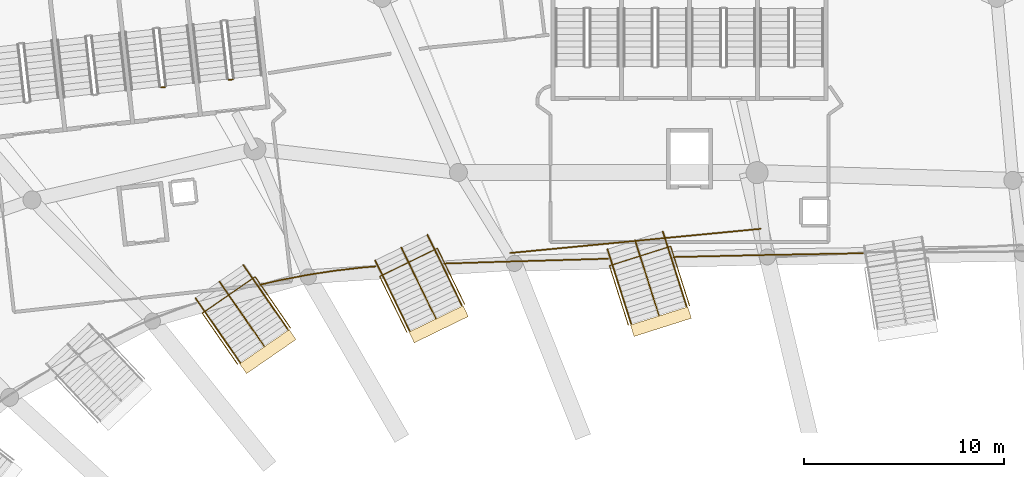
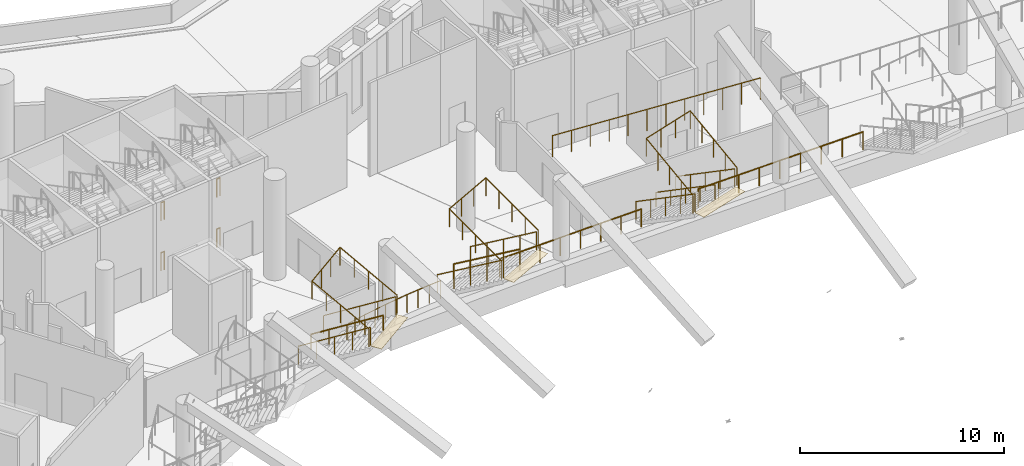
# One storey, part 154 of 173: 20 railings, 3 coverings.
"""IFC4 building model written with IfcOpenShell, lengths in metres."""

from ifc_helpers import new_model, si_unit, direction, frame, origin, origin_2d, place, context, subcontext, project, spatial, rectangle, circle, extrude, material, layer, layer_set, type_object, element, save


model = new_model("IFC4")

# Units and contexts
model_context = context("Model", 3, precision=1e-05, world=origin(), true_north=direction((0.0, 1.0)))
body_context = subcontext(model_context, "Body", "Model", "MODEL_VIEW")
ifc_project = project(units=[si_unit("LENGTHUNIT", "METRE"), si_unit("AREAUNIT", "SQUARE_METRE"), si_unit("VOLUMEUNIT", "CUBIC_METRE"), si_unit("PLANEANGLEUNIT", "RADIAN"), si_unit("MASSUNIT", "GRAM", prefix="KILO")], contexts=[model_context])

# Site, building, storey
site_placement = place(None, origin())
site = spatial("IfcSite", under=ifc_project, at=site_placement, CompositionType="ELEMENT")
building_placement = place(site_placement, origin())
building = spatial("IfcBuilding", under=site, at=building_placement, Name="Meseta Stadium", CompositionType="ELEMENT")
storey_placement = place(building_placement, frame((0.0, 0.0, 18.0)))
storey = spatial("IfcBuildingStorey", under=building, at=storey_placement, Name="L03", CompositionType="ELEMENT", Elevation=18.0)

# Railings
ifc_material_1 = material(Name="Steel S355", Category="steel")
railing_type_1 = type_object("IfcRailingType", Name="Plate edge guard 1100", PredefinedType="GUARDRAIL", material=ifc_material_1)
railing_1_placement = place(storey_placement, frame((-14.34326171875, 85.88427734375, 0.0)))
element("IfcRailing", 1, at=railing_1_placement, inside=storey, type_object=railing_type_1, Name="L03 inner edge guard 21", PredefinedType="GUARDRAIL", context=body_context, shape_type="SweptSolid", body=[
    extrude(circle(Radius=0.02490234375, at=origin_2d()), frame((0.0, 0.0, 1.0751953125), z_axis=(-0.999837325098, -0.018036721983, 0.0), x_axis=(0.018036721983, -0.999837325098, 0.0)), (0.0, 0.0, 1.0), 4.778076171875),
    extrude(circle(Radius=0.02490234375, at=origin_2d()), frame((-4.77734375, -0.086181640625, 1.0751953125), z_axis=(-0.99974860133, -0.022421733614, 0.0), x_axis=(0.022421733614, -0.99974860133, 0.0)), (0.0, 0.0, 1.0), 4.68212890625),
    extrude(circle(Radius=0.02001953125, at=origin_2d()), origin(), (0.0, 0.0, 1.0), 1.050048828125),
    extrude(circle(Radius=0.02001953125, at=origin_2d()), frame((-1.1943359375, -0.021484375, 0.0)), (0.0, 0.0, 1.0), 1.050048828125),
    extrude(circle(Radius=0.02001953125, at=origin_2d()), frame((-2.388671875, -0.04296875, 0.0)), (0.0, 0.0, 1.0), 1.050048828125),
    extrude(circle(Radius=0.02001953125, at=origin_2d()), frame((-3.5830078125, -0.064697265625, 0.0)), (0.0, 0.0, 1.0), 1.050048828125),
    extrude(circle(Radius=0.02001953125, at=origin_2d()), frame((-4.77734375, -0.086181640625, 0.0)), (0.0, 0.0, 1.0), 1.050048828125),
    extrude(circle(Radius=0.02001953125, at=origin_2d()), frame((-5.947509765625, -0.1123046875, 0.0)), (0.0, 0.0, 1.0), 1.050048828125),
    extrude(circle(Radius=0.02001953125, at=origin_2d()), frame((-7.11767578125, -0.138671875, 0.0)), (0.0, 0.0, 1.0), 1.050048828125),
    extrude(circle(Radius=0.02001953125, at=origin_2d()), frame((-8.2880859375, -0.1650390625, 0.0)), (0.0, 0.0, 1.0), 1.050048828125),
    extrude(circle(Radius=0.02001953125, at=origin_2d()), frame((-9.458251953125, -0.191162109375, 0.0)), (0.0, 0.0, 1.0), 1.050048828125),
])
railing_2_placement = place(storey_placement, frame((-27.0693359375, 85.609375, 0.0)))
element("IfcRailing", 2, at=railing_2_placement, inside=storey, type_object=railing_type_1, Name="L03 inner edge guard 22", PredefinedType="GUARDRAIL", context=body_context, shape_type="SweptSolid", body=[
    extrude(circle(Radius=0.02490234375, at=origin_2d()), frame((0.0, 0.0, 1.0751953125), z_axis=(-0.999597396645, -0.028373308227, 0.0), x_axis=(0.028373308227, -0.999597396645, 0.0)), (0.0, 0.0, 1.0), 4.67236328125),
    extrude(circle(Radius=0.02490234375, at=origin_2d()), frame((-4.67041015625, -0.132568359375, 1.0751953125), z_axis=(-0.999521144506, -0.030943200959, 0.0), x_axis=(0.030943200959, -0.999521144506, 0.0)), (0.0, 0.0, 1.0), 3.503173828125),
    extrude(circle(Radius=0.02001953125, at=origin_2d()), origin(), (0.0, 0.0, 1.0), 1.050048828125),
    extrude(circle(Radius=0.02001953125, at=origin_2d()), frame((-1.16748046875, -0.033203125, 0.0)), (0.0, 0.0, 1.0), 1.050048828125),
    extrude(circle(Radius=0.02001953125, at=origin_2d()), frame((-2.335205078125, -0.06640625, 0.0)), (0.0, 0.0, 1.0), 1.050048828125),
    extrude(circle(Radius=0.02001953125, at=origin_2d()), frame((-3.5029296875, -0.099365234375, 0.0)), (0.0, 0.0, 1.0), 1.050048828125),
    extrude(circle(Radius=0.02001953125, at=origin_2d()), frame((-4.67041015625, -0.132568359375, 0.0)), (0.0, 0.0, 1.0), 1.050048828125),
    extrude(circle(Radius=0.02001953125, at=origin_2d()), frame((-5.837646484375, -0.168701171875, 0.0)), (0.0, 0.0, 1.0), 1.050048828125),
    extrude(circle(Radius=0.02001953125, at=origin_2d()), frame((-7.004638671875, -0.204833984375, 0.0)), (0.0, 0.0, 1.0), 1.050048828125),
    extrude(circle(Radius=0.02001953125, at=origin_2d()), frame((-8.171875, -0.240966796875, 0.0)), (0.0, 0.0, 1.0), 1.050048828125),
])
railing_3_placement = place(storey_placement, frame((-38.6640625, 85.224609375, 0.0)))
element("IfcRailing", 3, at=railing_3_placement, inside=storey, type_object=railing_type_1, Name="L03 inner edge guard 23", PredefinedType="GUARDRAIL", context=body_context, shape_type="SweptSolid", body=[
    extrude(circle(Radius=0.02490234375, at=origin_2d()), frame((0.0, 0.0, 1.0751953125), z_axis=(-0.996729823051, -0.080806310654, 0.0), x_axis=(0.080806310654, -0.996729823051, 0.0)), (0.0, 0.0, 1.0), 0.685791015625),
    extrude(circle(Radius=0.02490234375, at=origin_2d()), frame((-0.68359375, -0.055419921875, 1.0751953125), z_axis=(-0.993204606365, -0.116381312482, 0.0), x_axis=(0.116381312482, -0.993204606365, 0.0)), (0.0, 0.0, 1.0), 1.355224609375),
    extrude(circle(Radius=0.02490234375, at=origin_2d()), frame((-2.029541015625, -0.213134765625, 1.0751953125), z_axis=(-0.988417493259, -0.151759213954, 0.0), x_axis=(0.151759213954, -0.988417493259, 0.0)), (0.0, 0.0, 1.0), 1.3544921875),
    extrude(circle(Radius=0.02490234375, at=origin_2d()), frame((-3.368408203125, -0.418701171875, 1.0751953125), z_axis=(-0.982401631843, -0.18678071033, 0.0), x_axis=(0.18678071033, -0.982401631843, 0.0)), (0.0, 0.0, 1.0), 1.354248046875),
    extrude(circle(Radius=0.02490234375, at=origin_2d()), frame((-4.69873046875, -0.671630859375, 1.0751953125), z_axis=(-0.975167932407, -0.221466709924, 0.0), x_axis=(0.221466709924, -0.975167932407, 0.0)), (0.0, 0.0, 1.0), 1.093505859375),
    extrude(circle(Radius=0.02001953125, at=origin_2d()), origin(), (0.0, 0.0, 1.0), 1.050048828125),
    extrude(circle(Radius=0.02001953125, at=origin_2d()), frame((-0.68359375, -0.055419921875, 0.0)), (0.0, 0.0, 1.0), 1.050048828125),
    extrude(circle(Radius=0.02001953125, at=origin_2d()), frame((-1.3564453125, -0.13427734375, 0.0)), (0.0, 0.0, 1.0), 1.050048828125),
    extrude(circle(Radius=0.02001953125, at=origin_2d()), frame((-2.029541015625, -0.213134765625, 0.0)), (0.0, 0.0, 1.0), 1.050048828125),
    extrude(circle(Radius=0.02001953125, at=origin_2d()), frame((-2.698974609375, -0.31591796875, 0.0)), (0.0, 0.0, 1.0), 1.050048828125),
    extrude(circle(Radius=0.02001953125, at=origin_2d()), frame((-3.368408203125, -0.418701171875, 0.0)), (0.0, 0.0, 1.0), 1.050048828125),
    extrude(circle(Radius=0.02001953125, at=origin_2d()), frame((-4.03369140625, -0.545166015625, 0.0)), (0.0, 0.0, 1.0), 1.050048828125),
    extrude(circle(Radius=0.02001953125, at=origin_2d()), frame((-4.69873046875, -0.671630859375, 0.0)), (0.0, 0.0, 1.0), 1.050048828125),
    extrude(circle(Radius=0.02001953125, at=origin_2d()), frame((-5.76513671875, -0.913818359375, 0.0)), (0.0, 0.0, 1.0), 1.050048828125),
])
ifc_material_2 = material(Name="Steel S355", Category="steel")
railing_type_2 = type_object("IfcRailingType", Name="Stair guard 1100", PredefinedType="GUARDRAIL", material=ifc_material_2)
for number, where, name in (
    (4, (-45.787109375, 94.553955078125, 3.0), "ST45 L03 guard 4"),
    (5, (-45.787109375, 94.553955078125, 0.0), "ST45 L03 guard 8"),
    (6, (-49.165771484375, 94.17333984375, 3.0), "ST46 L03 guard 4"),
    (7, (-49.165771484375, 94.17333984375, 0.0), "ST46 L03 guard 8"),
):
    element("IfcRailing", number, at=place(storey_placement, frame(where)), inside=storey, type_object=railing_type_2, Name=name, PredefinedType="GUARDRAIL", context=body_context, shape_type="SweptSolid", body=[
        extrude(circle(Radius=0.02392578125, at=origin_2d()), frame((0.0, 0.0, 1.076171875), z_axis=(-0.993673547442, -0.112307083986, 0.0), x_axis=(0.112307083986, -0.993673547442, 0.0)), (0.0, 0.0, 1.0), 0.199951171875),
        extrude(circle(Radius=0.02099609375, at=origin_2d()), origin(), (0.0, 0.0, 1.0), 1.052001953125),
        extrude(circle(Radius=0.02099609375, at=origin_2d()), frame((-0.19873046875, -0.0224609375, 0.0)), (0.0, 0.0, 1.0), 1.052001953125),
    ])
ifc_material_3 = material(Name="Steel S355", Category="steel")
railing_type_3 = type_object("IfcRailingType", Name="Stand rear guard 1300", PredefinedType="GUARDRAIL", material=ifc_material_3)
railing_4_placement = place(storey_placement, frame((-19.452880859375, 87.1015625, 4.0849609375)))
element("IfcRailing", 8, at=railing_4_placement, inside=storey, type_object=railing_type_3, Name="Stand upper tier rear guard bay 21", PredefinedType="GUARDRAIL", context=body_context, shape_type="SweptSolid", body=[
    extrude(circle(Radius=0.02490234375, at=origin_2d()), frame((0.0, 0.0, 1.27490234375), z_axis=(-0.986940662175, -0.095342978526, 0.129837767196), x_axis=(0.096156922731, -0.995366186994, 0.0)), (0.0, 0.0, 1.0), 12.65478515625),
    extrude(circle(Radius=0.02001953125, at=origin_2d()), origin(), (0.0, 0.0, 1.0), 1.25),
    extrude(circle(Radius=0.02001953125, at=origin_2d()), frame((-1.135498046875, -0.109619140625, 0.1494140625)), (0.0, 0.0, 1.0), 1.25),
    extrude(circle(Radius=0.02001953125, at=origin_2d()), frame((-2.270751953125, -0.219482421875, 0.298828125)), (0.0, 0.0, 1.0), 1.25),
    extrude(circle(Radius=0.02001953125, at=origin_2d()), frame((-3.40625, -0.3291015625, 0.447998046875)), (0.0, 0.0, 1.0), 1.25),
    extrude(circle(Radius=0.02001953125, at=origin_2d()), frame((-4.541748046875, -0.438720703125, 0.597412109375)), (0.0, 0.0, 1.0), 1.25),
    extrude(circle(Radius=0.02001953125, at=origin_2d()), frame((-5.677001953125, -0.54833984375, 0.746826171875)), (0.0, 0.0, 1.0), 1.25),
    extrude(circle(Radius=0.02001953125, at=origin_2d()), frame((-6.8125, -0.658203125, 0.896240234375)), (0.0, 0.0, 1.0), 1.25),
    extrude(circle(Radius=0.02001953125, at=origin_2d()), frame((-7.94775390625, -0.767822265625, 1.045654296875)), (0.0, 0.0, 1.0), 1.25),
    extrude(circle(Radius=0.02001953125, at=origin_2d()), frame((-9.083251953125, -0.87744140625, 1.195068359375)), (0.0, 0.0, 1.0), 1.25),
    extrude(circle(Radius=0.02001953125, at=origin_2d()), frame((-10.21875, -0.987060546875, 1.34423828125)), (0.0, 0.0, 1.0), 1.25),
    extrude(circle(Radius=0.02001953125, at=origin_2d()), frame((-11.35400390625, -1.096923828125, 1.49365234375)), (0.0, 0.0, 1.0), 1.25),
    extrude(circle(Radius=0.02001953125, at=origin_2d()), frame((-12.489501953125, -1.20654296875, 1.64306640625)), (0.0, 0.0, 1.0), 1.25),
])

# Coverings
ifc_material_4 = material(Name="Stone paving", Category="masonry")
ifc_layer = layer(ifc_material_4, 0.02001953125)
ifc_layer_set = layer_set([ifc_layer], Name="Vomitory exit threshold plate 20")
covering_type = type_object("IfcCoveringType", Name="Vomitory exit threshold plate 20", PredefinedType="FLOORING", material=ifc_layer_set)
for number, where, z_axis, x_axis, name in (
    (9, (-24.425537109375, 82.470458984375, 2.455322265625), (0.0, 0.0, 1.0), (0.302579501013, -0.953124150133, 0.0), "Vomitory V-upper-21 exit threshold"),
    (10, (-35.51220703125, 82.339599609375, 2.5791015625), (0.0, 0.0, 1.0), (0.437966379942, -0.898991351483, 0.0), "Vomitory V-upper-22 exit threshold"),
    (11, (-44.034423828125, 80.973876953125, 2.451416015625), (0.0, 0.0, 1.0), (0.567899772853, -0.82309771473, 0.0), "Vomitory V-upper-23 exit threshold"),
):
    element("IfcCovering", number, at=place(storey_placement, frame(where, z_axis=z_axis, x_axis=x_axis)), inside=storey, type_object=covering_type, Name=name, PredefinedType="FLOORING", context=body_context, shape_type="SweptSolid", body=[
        extrude(rectangle(XDim=0.60009765625, YDim=3.0, at=origin_2d()), origin(), (0.0, 0.0, 1.0), 0.02001953125),
    ])

# Railings
ifc_material_5 = material(Name="Steel S355", Category="steel")
railing_type_4 = type_object("IfcRailingType", Name="Vomitory slot guard 1100", PredefinedType="GUARDRAIL", material=ifc_material_5)
railing_5_placement = place(storey_placement, frame((-26.0517578125, 82.3046875, 2.475341796875)))
element("IfcRailing", 12, at=railing_5_placement, inside=storey, type_object=railing_type_4, Name="Vomitory V-upper-21 slot guard", PredefinedType="GUARDRAIL", context=body_context, shape_type="SweptSolid", body=[
    extrude(circle(Radius=0.02490234375, at=origin_2d()), frame((0.0, 0.0, 1.0751953125), z_axis=(-0.25659020607, 0.808239113447, 0.530010378807), x_axis=(-0.95312210395, -0.302585946404, 0.0)), (0.0, 0.0, 1.0), 3.655517578125),
    extrude(circle(Radius=0.02490234375, at=origin_2d()), frame((-0.93798828125, 2.95458984375, 3.0126953125), z_axis=(0.953124965633, 0.302576932178, 0.0), x_axis=(-0.302576932178, 0.953124965633, 0.0)), (0.0, 0.0, 1.0), 3.199951171875),
    extrude(circle(Radius=0.02490234375, at=origin_2d()), frame((2.112060546875, 3.9228515625, 3.0126953125), z_axis=(0.25659020607, -0.808239113447, -0.530010378807), x_axis=(0.95312210395, 0.302585946404, 0.0)), (0.0, 0.0, 1.0), 3.655517578125),
    extrude(circle(Radius=0.02001953125, at=origin_2d()), origin(), (0.0, 0.0, 1.0), 1.050048828125),
    extrude(circle(Radius=0.02001953125, at=origin_2d()), frame((-0.234375, 0.73876953125, 0.484375)), (0.0, 0.0, 1.0), 1.050048828125),
    extrude(circle(Radius=0.02001953125, at=origin_2d()), frame((-0.468994140625, 1.477294921875, 0.96875)), (0.0, 0.0, 1.0), 1.050048828125),
    extrude(circle(Radius=0.02001953125, at=origin_2d()), frame((-0.70361328125, 2.2158203125, 1.453125)), (0.0, 0.0, 1.0), 1.050048828125),
    extrude(circle(Radius=0.02001953125, at=origin_2d()), frame((-0.93798828125, 2.95458984375, 1.9375)), (0.0, 0.0, 1.0), 1.050048828125),
    extrude(circle(Radius=0.02001953125, at=origin_2d()), frame((0.07861328125, 3.27734375, 1.9375)), (0.0, 0.0, 1.0), 1.050048828125),
    extrude(circle(Radius=0.02001953125, at=origin_2d()), frame((1.095458984375, 3.60009765625, 1.9375)), (0.0, 0.0, 1.0), 1.050048828125),
    extrude(circle(Radius=0.02001953125, at=origin_2d()), frame((2.112060546875, 3.9228515625, 1.9375)), (0.0, 0.0, 1.0), 1.050048828125),
    extrude(circle(Radius=0.02001953125, at=origin_2d()), frame((2.3466796875, 3.18408203125, 1.453125)), (0.0, 0.0, 1.0), 1.050048828125),
    extrude(circle(Radius=0.02001953125, at=origin_2d()), frame((2.5810546875, 2.445556640625, 0.96875)), (0.0, 0.0, 1.0), 1.050048828125),
    extrude(circle(Radius=0.02001953125, at=origin_2d()), frame((2.8154296875, 1.70703125, 0.484375)), (0.0, 0.0, 1.0), 1.050048828125),
    extrude(circle(Radius=0.02001953125, at=origin_2d()), frame((3.050048828125, 0.96826171875, 0.0)), (0.0, 0.0, 1.0), 1.050048828125),
])
railing_6_placement = place(storey_placement, frame((-37.0966796875, 81.939208984375, 2.59912109375)))
element("IfcRailing", 13, at=railing_6_placement, inside=storey, type_object=railing_type_4, Name="Vomitory V-upper-22 slot guard", PredefinedType="GUARDRAIL", context=body_context, shape_type="SweptSolid", body=[
    extrude(circle(Radius=0.02490234375, at=origin_2d()), frame((0.0, 0.0, 1.0751953125), z_axis=(-0.37144591586, 0.762325625593, 0.529988275489), x_axis=(-0.898963630227, -0.438023277383, 0.0)), (0.0, 0.0, 1.0), 3.65576171875),
    extrude(circle(Radius=0.02490234375, at=origin_2d()), frame((-1.35791015625, 2.786865234375, 3.0126953125), z_axis=(0.899017594614, 0.437912507899, 0.0), x_axis=(-0.437912507899, 0.899017594614, 0.0)), (0.0, 0.0, 1.0), 3.2001953125),
    extrude(circle(Radius=0.02490234375, at=origin_2d()), frame((1.51904296875, 4.188232421875, 3.0126953125), z_axis=(0.371388345082, -0.762344534996, -0.53000142179), x_axis=(0.898994639312, 0.437959631118, 0.0)), (0.0, 0.0, 1.0), 3.65576171875),
    extrude(circle(Radius=0.02001953125, at=origin_2d()), origin(), (0.0, 0.0, 1.0), 1.050048828125),
    extrude(circle(Radius=0.02001953125, at=origin_2d()), frame((-0.33935546875, 0.69677734375, 0.484375)), (0.0, 0.0, 1.0), 1.050048828125),
    extrude(circle(Radius=0.02001953125, at=origin_2d()), frame((-0.678955078125, 1.3935546875, 0.96875)), (0.0, 0.0, 1.0), 1.050048828125),
    extrude(circle(Radius=0.02001953125, at=origin_2d()), frame((-1.0185546875, 2.090087890625, 1.453125)), (0.0, 0.0, 1.0), 1.050048828125),
    extrude(circle(Radius=0.02001953125, at=origin_2d()), frame((-1.35791015625, 2.786865234375, 1.9375)), (0.0, 0.0, 1.0), 1.050048828125),
    extrude(circle(Radius=0.02001953125, at=origin_2d()), frame((-0.39892578125, 3.25390625, 1.9375)), (0.0, 0.0, 1.0), 1.050048828125),
    extrude(circle(Radius=0.02001953125, at=origin_2d()), frame((0.56005859375, 3.72119140625, 1.9375)), (0.0, 0.0, 1.0), 1.050048828125),
    extrude(circle(Radius=0.02001953125, at=origin_2d()), frame((1.51904296875, 4.188232421875, 1.9375)), (0.0, 0.0, 1.0), 1.050048828125),
    extrude(circle(Radius=0.02001953125, at=origin_2d()), frame((1.8583984375, 3.491455078125, 1.453125)), (0.0, 0.0, 1.0), 1.050048828125),
    extrude(circle(Radius=0.02001953125, at=origin_2d()), frame((2.19775390625, 2.794921875, 0.96875)), (0.0, 0.0, 1.0), 1.050048828125),
    extrude(circle(Radius=0.02001953125, at=origin_2d()), frame((2.537353515625, 2.09814453125, 0.484375)), (0.0, 0.0, 1.0), 1.050048828125),
    extrude(circle(Radius=0.02001953125, at=origin_2d()), frame((2.876708984375, 1.4013671875, 0.0)), (0.0, 0.0, 1.0), 1.050048828125),
])
railing_7_placement = place(storey_placement, frame((-45.541015625, 80.340087890625, 2.471435546875)))
element("IfcRailing", 14, at=railing_7_placement, inside=storey, type_object=railing_type_4, Name="Vomitory V-upper-23 slot guard", PredefinedType="GUARDRAIL", context=body_context, shape_type="SweptSolid", body=[
    extrude(circle(Radius=0.02490234375, at=origin_2d()), frame((0.0, 0.0, 1.0751953125), z_axis=(-0.481565640467, 0.698006389428, 0.529982654659), x_axis=(-0.823112509059, -0.567878329777, 0.0)), (0.0, 0.0, 1.0), 3.65576171875),
    extrude(circle(Radius=0.02490234375, at=origin_2d()), frame((-1.760498046875, 2.5517578125, 3.0126953125), z_axis=(0.8231303975, 0.567852400463, 0.0), x_axis=(-0.567852400463, 0.8231303975, 0.0)), (0.0, 0.0, 1.0), 3.199951171875),
    extrude(circle(Radius=0.02490234375, at=origin_2d()), frame((0.87353515625, 4.368896484375, 3.0126953125), z_axis=(0.48158808882, -0.697972142041, -0.530007359988), x_axis=(0.823087110293, 0.567915142314, 0.0)), (0.0, 0.0, 1.0), 3.655517578125),
    extrude(circle(Radius=0.02001953125, at=origin_2d()), origin(), (0.0, 0.0, 1.0), 1.050048828125),
    extrude(circle(Radius=0.02001953125, at=origin_2d()), frame((-0.440185546875, 0.637939453125, 0.484375)), (0.0, 0.0, 1.0), 1.050048828125),
    extrude(circle(Radius=0.02001953125, at=origin_2d()), frame((-0.88037109375, 1.27587890625, 0.96875)), (0.0, 0.0, 1.0), 1.050048828125),
    extrude(circle(Radius=0.02001953125, at=origin_2d()), frame((-1.3203125, 1.913818359375, 1.453125)), (0.0, 0.0, 1.0), 1.050048828125),
    extrude(circle(Radius=0.02001953125, at=origin_2d()), frame((-1.760498046875, 2.5517578125, 1.9375)), (0.0, 0.0, 1.0), 1.050048828125),
    extrude(circle(Radius=0.02001953125, at=origin_2d()), frame((-0.882568359375, 3.157470703125, 1.9375)), (0.0, 0.0, 1.0), 1.050048828125),
    extrude(circle(Radius=0.02001953125, at=origin_2d()), frame((-0.00439453125, 3.76318359375, 1.9375)), (0.0, 0.0, 1.0), 1.050048828125),
    extrude(circle(Radius=0.02001953125, at=origin_2d()), frame((0.87353515625, 4.368896484375, 1.9375)), (0.0, 0.0, 1.0), 1.050048828125),
    extrude(circle(Radius=0.02001953125, at=origin_2d()), frame((1.313720703125, 3.73095703125, 1.453125)), (0.0, 0.0, 1.0), 1.050048828125),
    extrude(circle(Radius=0.02001953125, at=origin_2d()), frame((1.75390625, 3.09326171875, 0.96875)), (0.0, 0.0, 1.0), 1.050048828125),
    extrude(circle(Radius=0.02001953125, at=origin_2d()), frame((2.19384765625, 2.455322265625, 0.484375)), (0.0, 0.0, 1.0), 1.050048828125),
    extrude(circle(Radius=0.02001953125, at=origin_2d()), frame((2.634033203125, 1.8173828125, 0.0)), (0.0, 0.0, 1.0), 1.050048828125),
])
ifc_material_6 = material(Name="Steel S355", Category="steel")
railing_type_5 = type_object("IfcRailingType", Name="Vomitory stair guard 1100", PredefinedType="GUARDRAIL", material=ifc_material_6)
railing_8_placement = place(storey_placement, frame((-24.330810546875, 86.9638671875, 0.1650390625)))
element("IfcRailing", 15, at=railing_8_placement, inside=storey, type_object=railing_type_5, Name="Vomitory V-upper-21 guard left", PredefinedType="GUARDRAIL", context=body_context, shape_type="SweptSolid", body=[
    extrude(circle(Radius=0.02490234375, at=origin_2d()), frame((0.0, 0.0, 1.0751953125), z_axis=(0.260655572565, -0.82113480497, 0.507736451871), x_axis=(0.953131679436, 0.302555782717, 0.0)), (0.0, 0.0, 1.0), 4.55029296875),
    extrude(circle(Radius=0.02001953125, at=origin_2d()), origin(), (0.0, 0.0, 1.0), 1.050048828125),
    extrude(circle(Radius=0.02001953125, at=origin_2d()), frame((0.29638671875, -0.93408203125, 0.57763671875)), (0.0, 0.0, 1.0), 1.050048828125),
    extrude(circle(Radius=0.02001953125, at=origin_2d()), frame((0.593017578125, -1.8681640625, 1.1552734375)), (0.0, 0.0, 1.0), 1.050048828125),
    extrude(circle(Radius=0.02001953125, at=origin_2d()), frame((0.8896484375, -2.80224609375, 1.732666015625)), (0.0, 0.0, 1.0), 1.050048828125),
    extrude(circle(Radius=0.02001953125, at=origin_2d()), frame((1.18603515625, -3.736328125, 2.310302734375)), (0.0, 0.0, 1.0), 1.050048828125),
])
railing_9_placement = place(storey_placement, frame((-27.0947265625, 86.086181640625, 0.1650390625)))
element("IfcRailing", 16, at=railing_9_placement, inside=storey, type_object=railing_type_5, Name="Vomitory V-upper-21 guard right", PredefinedType="GUARDRAIL", context=body_context, shape_type="SweptSolid", body=[
    extrude(circle(Radius=0.02490234375, at=origin_2d()), frame((0.0, 0.0, 1.0751953125), z_axis=(0.260667056891, -0.82111732639, 0.507758822429), x_axis=(0.953125977826, 0.302573743728, 0.0)), (0.0, 0.0, 1.0), 4.550048828125),
    extrude(circle(Radius=0.02001953125, at=origin_2d()), origin(), (0.0, 0.0, 1.0), 1.050048828125),
    extrude(circle(Radius=0.02001953125, at=origin_2d()), frame((0.29638671875, -0.93408203125, 0.57763671875)), (0.0, 0.0, 1.0), 1.050048828125),
    extrude(circle(Radius=0.02001953125, at=origin_2d()), frame((0.593017578125, -1.8681640625, 1.1552734375)), (0.0, 0.0, 1.0), 1.050048828125),
    extrude(circle(Radius=0.02001953125, at=origin_2d()), frame((0.8896484375, -2.802001953125, 1.732666015625)), (0.0, 0.0, 1.0), 1.050048828125),
    extrude(circle(Radius=0.02001953125, at=origin_2d()), frame((1.18603515625, -3.736083984375, 2.310302734375)), (0.0, 0.0, 1.0), 1.050048828125),
])
railing_10_placement = place(storey_placement, frame((-36.07177734375, 86.799072265625, 0.17333984375)))
element("IfcRailing", 17, at=railing_10_placement, inside=storey, type_object=railing_type_5, Name="Vomitory V-upper-22 guard left", PredefinedType="GUARDRAIL", context=body_context, shape_type="SweptSolid", body=[
    extrude(circle(Radius=0.02490234375, at=origin_2d()), frame((0.0, 0.0, 1.0751953125), z_axis=(0.372411688948, -0.764471377981, 0.526206277217), x_axis=(0.899000557299, 0.437947483126, 0.0)), (0.0, 0.0, 1.0), 4.60986328125),
    extrude(circle(Radius=0.02001953125, at=origin_2d()), origin(), (0.0, 0.0, 1.0), 1.050048828125),
    extrude(circle(Radius=0.02001953125, at=origin_2d()), frame((0.42919921875, -0.881103515625, 0.6064453125)), (0.0, 0.0, 1.0), 1.050048828125),
    extrude(circle(Radius=0.02001953125, at=origin_2d()), frame((0.8583984375, -1.76220703125, 1.212890625)), (0.0, 0.0, 1.0), 1.050048828125),
    extrude(circle(Radius=0.02001953125, at=origin_2d()), frame((1.28759765625, -2.64306640625, 1.8193359375)), (0.0, 0.0, 1.0), 1.050048828125),
    extrude(circle(Radius=0.02001953125, at=origin_2d()), frame((1.716796875, -3.524169921875, 2.42578125)), (0.0, 0.0, 1.0), 1.050048828125),
])
railing_11_placement = place(storey_placement, frame((-38.6787109375, 85.52880859375, 0.17333984375)))
element("IfcRailing", 18, at=railing_11_placement, inside=storey, type_object=railing_type_5, Name="Vomitory V-upper-22 guard right", PredefinedType="GUARDRAIL", context=body_context, shape_type="SweptSolid", body=[
    extrude(circle(Radius=0.02490234375, at=origin_2d()), frame((0.0, 0.0, 1.0751953125), z_axis=(0.372426766829, -0.764449367521, 0.526227581799), x_axis=(0.898988611266, 0.437972004602, 0.0)), (0.0, 0.0, 1.0), 4.60986328125),
    extrude(circle(Radius=0.02001953125, at=origin_2d()), origin(), (0.0, 0.0, 1.0), 1.050048828125),
    extrude(circle(Radius=0.02001953125, at=origin_2d()), frame((0.42919921875, -0.880859375, 0.6064453125)), (0.0, 0.0, 1.0), 1.050048828125),
    extrude(circle(Radius=0.02001953125, at=origin_2d()), frame((0.8583984375, -1.761962890625, 1.212890625)), (0.0, 0.0, 1.0), 1.050048828125),
    extrude(circle(Radius=0.02001953125, at=origin_2d()), frame((1.28759765625, -2.64306640625, 1.8193359375)), (0.0, 0.0, 1.0), 1.050048828125),
    extrude(circle(Radius=0.02001953125, at=origin_2d()), frame((1.716796875, -3.52392578125, 2.42578125)), (0.0, 0.0, 1.0), 1.050048828125),
])
for number, where, name in (
    (19, (-45.2568359375, 85.298828125, 0.164794921875), "Vomitory V-upper-23 guard left"),
    (20, (-47.643798828125, 83.65185546875, 0.164794921875), "Vomitory V-upper-23 guard right"),
):
    element("IfcRailing", number, at=place(storey_placement, frame(where)), inside=storey, type_object=railing_type_5, Name=name, PredefinedType="GUARDRAIL", context=body_context, shape_type="SweptSolid", body=[
        extrude(circle(Radius=0.02490234375, at=origin_2d()), frame((0.0, 0.0, 1.0751953125), z_axis=(0.489474665706, -0.70938668516, 0.507134185941), x_axis=(0.823081280051, 0.567923592069, 0.0)), (0.0, 0.0, 1.0), 4.54833984375),
        extrude(circle(Radius=0.02001953125, at=origin_2d()), origin(), (0.0, 0.0, 1.0), 1.050048828125),
        extrude(circle(Radius=0.02001953125, at=origin_2d()), frame((0.556640625, -0.806640625, 0.57666015625)), (0.0, 0.0, 1.0), 1.050048828125),
        extrude(circle(Radius=0.02001953125, at=origin_2d()), frame((1.11328125, -1.61328125, 1.1533203125)), (0.0, 0.0, 1.0), 1.050048828125),
        extrude(circle(Radius=0.02001953125, at=origin_2d()), frame((1.669677734375, -2.419921875, 1.72998046875)), (0.0, 0.0, 1.0), 1.050048828125),
        extrude(circle(Radius=0.02001953125, at=origin_2d()), frame((2.226318359375, -3.2265625, 2.306640625)), (0.0, 0.0, 1.0), 1.050048828125),
    ])
ifc_material_7 = material(Name="Steel S355", Category="steel")
railing_type_6 = type_object("IfcRailingType", Name="Vomitory stair handrail 900", PredefinedType="HANDRAIL", material=ifc_material_7)
railing_12_placement = place(storey_placement, frame((-25.712890625, 86.52490234375, 0.1650390625)))
element("IfcRailing", 21, at=railing_12_placement, inside=storey, type_object=railing_type_6, Name="Vomitory V-upper-21 central handrail", PredefinedType="HANDRAIL", context=body_context, shape_type="SweptSolid", body=[
    extrude(circle(Radius=0.02490234375, at=origin_2d()), frame((0.0, 0.0, 0.875), z_axis=(0.260717067252, -0.82110584074, 0.507751719984), x_axis=(0.953108014461, 0.302630323614, 0.0)), (0.0, 0.0, 1.0), 4.550048828125),
    extrude(circle(Radius=0.02001953125, at=origin_2d()), origin(), (0.0, 0.0, 1.0), 0.849853515625),
    extrude(circle(Radius=0.02001953125, at=origin_2d()), frame((0.296630859375, -0.93408203125, 0.57763671875)), (0.0, 0.0, 1.0), 0.849853515625),
    extrude(circle(Radius=0.02001953125, at=origin_2d()), frame((0.59326171875, -1.8681640625, 1.1552734375)), (0.0, 0.0, 1.0), 0.849853515625),
    extrude(circle(Radius=0.02001953125, at=origin_2d()), frame((0.8896484375, -2.802001953125, 1.732666015625)), (0.0, 0.0, 1.0), 0.849853515625),
    extrude(circle(Radius=0.02001953125, at=origin_2d()), frame((1.186279296875, -3.736083984375, 2.310302734375)), (0.0, 0.0, 1.0), 0.849853515625),
])
railing_13_placement = place(storey_placement, frame((-37.375244140625, 86.1640625, 0.17333984375)))
element("IfcRailing", 22, at=railing_13_placement, inside=storey, type_object=railing_type_6, Name="Vomitory V-upper-22 central handrail", PredefinedType="HANDRAIL", context=body_context, shape_type="SweptSolid", body=[
    extrude(circle(Radius=0.02490234375, at=origin_2d()), frame((0.0, 0.0, 0.875), z_axis=(0.372411688948, -0.764471377981, 0.526206277217), x_axis=(0.899000557299, 0.437947483126, 0.0)), (0.0, 0.0, 1.0), 4.60986328125),
    extrude(circle(Radius=0.02001953125, at=origin_2d()), origin(), (0.0, 0.0, 1.0), 0.849853515625),
    extrude(circle(Radius=0.02001953125, at=origin_2d()), frame((0.42919921875, -0.881103515625, 0.6064453125)), (0.0, 0.0, 1.0), 0.849853515625),
    extrude(circle(Radius=0.02001953125, at=origin_2d()), frame((0.8583984375, -1.76220703125, 1.212890625)), (0.0, 0.0, 1.0), 0.849853515625),
    extrude(circle(Radius=0.02001953125, at=origin_2d()), frame((1.28759765625, -2.64306640625, 1.8193359375)), (0.0, 0.0, 1.0), 0.849853515625),
    extrude(circle(Radius=0.02001953125, at=origin_2d()), frame((1.716796875, -3.524169921875, 2.42578125)), (0.0, 0.0, 1.0), 0.849853515625),
])
railing_14_placement = place(storey_placement, frame((-46.4501953125, 84.475341796875, 0.164794921875)))
element("IfcRailing", 23, at=railing_14_placement, inside=storey, type_object=railing_type_6, Name="Vomitory V-upper-23 central handrail", PredefinedType="HANDRAIL", context=body_context, shape_type="SweptSolid", body=[
    extrude(circle(Radius=0.02490234375, at=origin_2d()), frame((0.0, 0.0, 0.875), z_axis=(0.489433847818, -0.709405322741, 0.507147509781), x_axis=(0.82311039222, 0.567881398022, 0.0)), (0.0, 0.0, 1.0), 4.54833984375),
    extrude(circle(Radius=0.02001953125, at=origin_2d()), origin(), (0.0, 0.0, 1.0), 0.849853515625),
    extrude(circle(Radius=0.02001953125, at=origin_2d()), frame((0.556640625, -0.806640625, 0.57666015625)), (0.0, 0.0, 1.0), 0.849853515625),
    extrude(circle(Radius=0.02001953125, at=origin_2d()), frame((1.113037109375, -1.61328125, 1.1533203125)), (0.0, 0.0, 1.0), 0.849853515625),
    extrude(circle(Radius=0.02001953125, at=origin_2d()), frame((1.66943359375, -2.419921875, 1.72998046875)), (0.0, 0.0, 1.0), 0.849853515625),
    extrude(circle(Radius=0.02001953125, at=origin_2d()), frame((2.22607421875, -3.2265625, 2.306640625)), (0.0, 0.0, 1.0), 0.849853515625),
])

save(model, "model.ifc")
